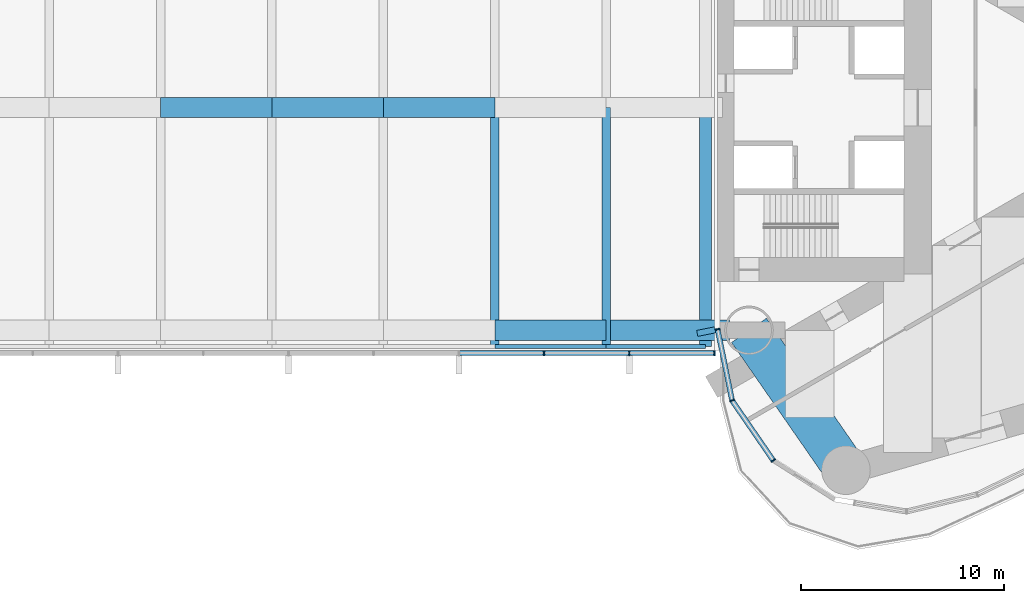
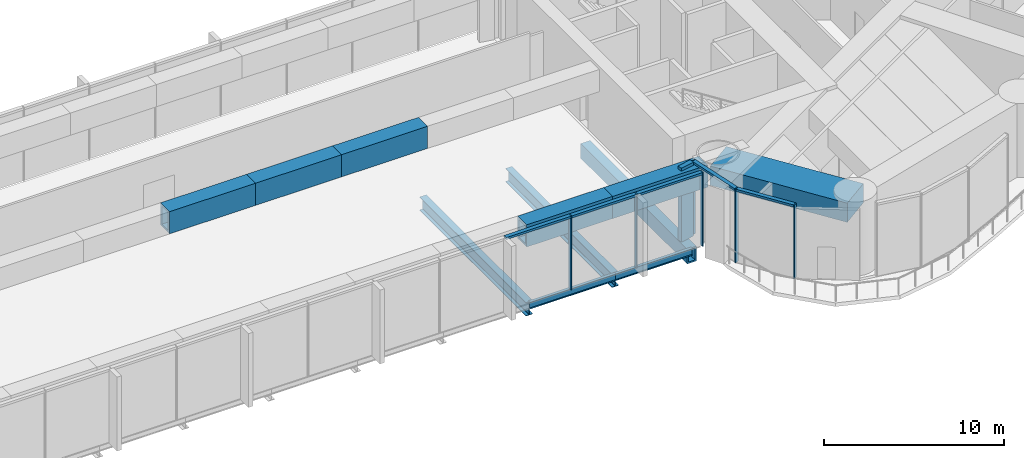
# One storey, part 7 of 22: 17 members, 6 beams, 2 elements without a shape of their own.
"""IFC4 building model written with IfcOpenShell, lengths in metres."""

from ifc_helpers import new_model, si_unit, direction, frame, origin, origin_2d, place, context, subcontext, project, spatial, rectangle, hollow_rectangle, i_section, extrude, material, material_profile, profile_set, type_object, element, aggregate, save


model = new_model("IFC4")

# Units and contexts
model_context = context("Model", 3, precision=1e-05, world=origin(), true_north=direction((0.0, 1.0)))
body_context = subcontext(model_context, "Body", "Model", "MODEL_VIEW")
ifc_project = project(units=[si_unit("LENGTHUNIT", "METRE"), si_unit("AREAUNIT", "SQUARE_METRE"), si_unit("VOLUMEUNIT", "CUBIC_METRE"), si_unit("PLANEANGLEUNIT", "RADIAN"), si_unit("MASSUNIT", "GRAM", prefix="KILO")], contexts=[model_context])

# Site, building, storey
site_placement = place(None, origin())
site = spatial("IfcSite", under=ifc_project, at=site_placement, CompositionType="ELEMENT")
building_placement = place(site_placement, origin())
building = spatial("IfcBuilding", under=site, at=building_placement, Name="Lancet Gate Hotel", CompositionType="ELEMENT")
storey_placement = place(building_placement, frame((0.0, 0.0, 210.300048828125)))
storey = spatial("IfcBuildingStorey", under=building, at=storey_placement, Name="L56", CompositionType="ELEMENT", Elevation=210.300048828125)

# Curtain wall, members
ifc_material_1 = material(Name="Aluminium curtain wall", Category="aluminium")
curtain_wall_type = type_object("IfcCurtainWallType", Name="Refuge storey louvred curtain wall", PredefinedType="USERDEFINED", material=ifc_material_1)
curtain_wall_1_placement = place(storey_placement, origin())
curtain_wall_1 = element("IfcCurtainWall", 1, at=curtain_wall_1_placement, inside=storey, type_object=curtain_wall_type, Name="T2 L56 curtain wall 1", ObjectType="LANTERN GLAZING", PredefinedType="USERDEFINED")
ifc_material_2 = material(Name="Aluminium mullion", Category="aluminium")
ifc_material_profile_1 = material_profile(ifc_material_2, rectangle(XDim=0.06494140625, YDim=0.25, at=origin_2d()), Name="MULLION 65x250")
ifc_profile_set_1 = profile_set([ifc_material_profile_1], Name="Aluminium mullion")
member_type_1 = type_object("IfcMemberType", Name="Aluminium mullion 65x250", PredefinedType="MULLION", material=ifc_profile_set_1)
member_1_placement = place(storey_placement, frame((27.5, -10.947998046875, 0.0), z_axis=(0.0, 0.0, 1.0), x_axis=(0.199533486841, -0.979891008036, 0.0)))
member_1 = element("IfcMember", 2, at=member_1_placement, type_object=member_type_1, Name="T2 L56 curtain wall 1 mullion 1", PredefinedType="MULLION", context=body_context, shape_type="SweptSolid", body=[
    extrude(rectangle(XDim=0.06494140625, YDim=0.25, at=origin_2d()), origin(), (0.0, 0.0, 1.0), 5.0),
])
member_2_placement = place(storey_placement, frame((28.216552734375, -14.467529296875, 0.0), z_axis=(0.0, 0.0, 1.0), x_axis=(0.391042139098, -0.920372775265, 0.0)))
member_2 = element("IfcMember", 3, at=member_2_placement, type_object=member_type_1, Name="T2 L56 curtain wall 1 mullion 2", PredefinedType="MULLION", context=body_context, shape_type="SweptSolid", body=[
    extrude(rectangle(XDim=0.06494140625, YDim=0.25, at=origin_2d()), origin(), (0.0, 0.0, 1.0), 5.0),
])
member_3_placement = place(storey_placement, frame((30.25244140625, -17.42626953125, 0.0), z_axis=(0.0, 0.0, 1.0), x_axis=(0.566823864908, -0.823839005007, 0.0)))
member_3 = element("IfcMember", 4, at=member_3_placement, type_object=member_type_1, Name="T2 L56 curtain wall 1 mullion 3", PredefinedType="MULLION", context=body_context, shape_type="SweptSolid", body=[
    extrude(rectangle(XDim=0.06494140625, YDim=0.25, at=origin_2d()), origin(), (0.0, 0.0, 1.0), 5.0),
])

curtain_wall_2_placement = place(storey_placement, origin())
curtain_wall_2 = element("IfcCurtainWall", 5, at=curtain_wall_2_placement, inside=storey, type_object=curtain_wall_type, Name="Bridge block L56 curtain wall S", ObjectType="LANTERN GLAZING", PredefinedType="USERDEFINED")
member_4_placement = place(storey_placement, frame((18.9345703125, -12.1201171875, 0.0), z_axis=(0.0, 0.0, 1.0), x_axis=(1.0, 0.0, 0.0)))
member_4 = element("IfcMember", 6, at=member_4_placement, type_object=member_type_1, Name="Bridge block L56 curtain wall S mullion 12", PredefinedType="MULLION", context=body_context, shape_type="SweptSolid", body=[
    extrude(rectangle(XDim=0.06494140625, YDim=0.25, at=origin_2d()), origin(), (0.0, 0.0, 1.0), 5.0),
])
member_5_placement = place(storey_placement, frame((23.142333984375, -12.1201171875, 0.0), z_axis=(0.0, 0.0, 1.0), x_axis=(1.0, 0.0, 0.0)))
member_5 = element("IfcMember", 7, at=member_5_placement, type_object=member_type_1, Name="Bridge block L56 curtain wall S mullion 13", PredefinedType="MULLION", context=body_context, shape_type="SweptSolid", body=[
    extrude(rectangle(XDim=0.06494140625, YDim=0.25, at=origin_2d()), origin(), (0.0, 0.0, 1.0), 5.0),
])
member_6_placement = place(storey_placement, frame((27.35009765625, -12.1201171875, 0.0), z_axis=(0.0, 0.0, 1.0), x_axis=(1.0, 0.0, 0.0)))
member_6 = element("IfcMember", 8, at=member_6_placement, type_object=member_type_1, Name="Bridge block L56 curtain wall S mullion 14", PredefinedType="MULLION", context=body_context, shape_type="SweptSolid", body=[
    extrude(rectangle(XDim=0.06494140625, YDim=0.25, at=origin_2d()), origin(), (0.0, 0.0, 1.0), 5.0),
])

# Member
ifc_material_3 = material(Name="Aluminium transom", Category="aluminium")
ifc_material_profile_2 = material_profile(ifc_material_3, rectangle(XDim=0.25, YDim=0.14990234375, at=origin_2d()), Name="TRANSOM 250x150")
ifc_profile_set_2 = profile_set([ifc_material_profile_2], Name="Aluminium transom")
member_type_2 = type_object("IfcMemberType", Name="Aluminium transom 250x150", PredefinedType="USERDEFINED", material=ifc_profile_set_2)
member_7_placement = place(storey_placement, frame((27.506591796875, -10.97998046875, 4.925048828125), z_axis=(0.19952323725, -0.979893095086, 0.0), x_axis=(0.979893095086, 0.19952323725, 0.0)))
member_7 = element("IfcMember", 9, at=member_7_placement, type_object=member_type_2, Name="T2 L56 curtain wall 1 transom 1", ObjectType="TRANSOM", PredefinedType="USERDEFINED", context=body_context, shape_type="SweptSolid", body=[
    extrude(rectangle(XDim=0.25, YDim=0.14990234375, at=origin_2d()), origin(), (0.0, 0.0, 1.0), 3.5263671875),
])

member_8_placement = place(storey_placement, frame((28.235107421875, -14.494140625, 4.925048828125), z_axis=(0.566813768052, -0.82384595183, 0.0), x_axis=(0.82384595183, 0.566813768052, 0.0)))
member_8 = element("IfcMember", 10, at=member_8_placement, type_object=member_type_2, Name="T2 L56 curtain wall 1 transom 2", ObjectType="TRANSOM", PredefinedType="USERDEFINED", context=body_context, shape_type="SweptSolid", body=[
    extrude(rectangle(XDim=0.25, YDim=0.14990234375, at=origin_2d()), origin(), (0.0, 0.0, 1.0), 3.52685546875),
])

member_9_placement = place(storey_placement, frame((14.759521484375, -12.1201171875, 4.925048828125), z_axis=(1.0, 0.0, 0.0), x_axis=(0.0, 1.0, 0.0)))
member_9 = element("IfcMember", 11, at=member_9_placement, type_object=member_type_2, Name="Bridge block L56 curtain wall S transom 11", ObjectType="TRANSOM", PredefinedType="USERDEFINED", context=body_context, shape_type="SweptSolid", body=[
    extrude(rectangle(XDim=0.25, YDim=0.14990234375, at=origin_2d()), origin(), (0.0, 0.0, 1.0), 4.142578125),
])

member_10_placement = place(storey_placement, frame((18.967041015625, -12.1201171875, 4.925048828125), z_axis=(1.0, 0.0, 0.0), x_axis=(0.0, 1.0, 0.0)))
member_10 = element("IfcMember", 12, at=member_10_placement, type_object=member_type_2, Name="Bridge block L56 curtain wall S transom 12", ObjectType="TRANSOM", PredefinedType="USERDEFINED", context=body_context, shape_type="SweptSolid", body=[
    extrude(rectangle(XDim=0.25, YDim=0.14990234375, at=origin_2d()), origin(), (0.0, 0.0, 1.0), 4.142822265625),
])

member_11_placement = place(storey_placement, frame((23.1748046875, -12.1201171875, 4.925048828125), z_axis=(1.0, 0.0, 0.0), x_axis=(0.0, 1.0, 0.0)))
member_11 = element("IfcMember", 13, at=member_11_placement, type_object=member_type_2, Name="Bridge block L56 curtain wall S transom 13", ObjectType="TRANSOM", PredefinedType="USERDEFINED", context=body_context, shape_type="SweptSolid", body=[
    extrude(rectangle(XDim=0.25, YDim=0.14990234375, at=origin_2d()), origin(), (0.0, 0.0, 1.0), 4.142578125),
])

aggregate(curtain_wall_2, [member_4, member_5, member_6, member_9, member_10, member_11])

# Beams
ifc_material_4 = material(Name="Steel S355", Category="steel")
ifc_material_profile_3 = material_profile(ifc_material_4, i_section(OverallWidth=0.19140625, OverallDepth=0.4599609375, WebThickness=0.010009765625, FlangeThickness=0.01611328125, FilletRadius=0.01025390625, at=origin_2d()), Name="UKB 457x191x82")
ifc_profile_set_3 = profile_set([ifc_material_profile_3], Name="Steel S355")
beam_type_1 = type_object("IfcBeamType", Name="Block edge beam UKB 457x191x82", PredefinedType="SPANDREL", material=ifc_profile_set_3)
beam_1_placement = place(storey_placement, frame((16.5, -11.800048828125, -0.429931640625), z_axis=(1.0, 0.0, 0.0), x_axis=(0.0, 1.0, 0.0)))
element("IfcBeam", 14, at=beam_1_placement, inside=storey, type_object=beam_type_1, Name="Block edge beam S 8-9 L56", PredefinedType="SPANDREL", context=body_context, shape_type="SweptSolid", body=[
    extrude(i_section(OverallWidth=0.19140625, OverallDepth=0.4599609375, WebThickness=0.010009765625, FlangeThickness=0.01611328125, FilletRadius=0.01025390625, at=origin_2d()), origin(), (0.0, 0.0, 1.0), 5.5),
])
beam_2_placement = place(storey_placement, frame((22.0, -11.800048828125, -0.429931640625), z_axis=(1.0, 0.0, 0.0), x_axis=(0.0, 1.0, 0.0)))
element("IfcBeam", 15, at=beam_2_placement, inside=storey, type_object=beam_type_1, Name="Block edge beam S 9-10 L56", PredefinedType="SPANDREL", context=body_context, shape_type="SweptSolid", body=[
    extrude(i_section(OverallWidth=0.19140625, OverallDepth=0.4599609375, WebThickness=0.010009765625, FlangeThickness=0.01611328125, FilletRadius=0.01025390625, at=origin_2d()), origin(), (0.0, 0.0, 1.0), 4.89990234375),
])
ifc_material_5 = material(Name="Steel S460QL", Category="steel")
ifc_material_profile_4 = material_profile(ifc_material_5, hollow_rectangle(XDim=0.60009765625, YDim=1.0, WallThickness=0.10009765625, at=origin_2d()), Name="BOX 1000x600x100")
ifc_profile_set_4 = profile_set([ifc_material_profile_4], Name="Steel S460QL")
beam_type_2 = type_object("IfcBeamType", Name="Block end beam BOX 1000x600x100", PredefinedType="BEAM", material=ifc_profile_set_4)
beam_3_placement = place(storey_placement, frame((26.89990234375, -11.800048828125, -0.699951171875), z_axis=(0.0, 1.0, 0.0), x_axis=(-1.0, 0.0, 0.0)))
element("IfcBeam", 16, at=beam_3_placement, inside=storey, type_object=beam_type_2, Name="Block beam x10 S L56", PredefinedType="BEAM", context=body_context, shape_type="SweptSolid", body=[
    extrude(hollow_rectangle(XDim=0.60009765625, YDim=1.0, WallThickness=0.10009765625, at=origin_2d()), origin(), (0.0, 0.0, 1.0), 11.800048828125),
])
ifc_material_6 = material(Name="Steel S355", Category="steel")
ifc_material_profile_5 = material_profile(ifc_material_6, i_section(OverallWidth=0.42041015625, OverallDepth=0.9208984375, WebThickness=0.021484375, FlangeThickness=0.03662109375, FilletRadius=0.024169921875, at=origin_2d()), Name="UKB 914x419x388")
ifc_profile_set_5 = profile_set([ifc_material_profile_5], Name="Steel S355")
beam_type_3 = type_object("IfcBeamType", Name="Block plant floor beam UKB 914x419x388", PredefinedType="JOIST", material=ifc_profile_set_5)
for number, where, z_axis, x_axis, name in (
    (17, (16.5, -11.800048828125, -0.66064453125), (0.0, 1.0, 0.0), (-1.0, 0.0, 0.0), "Block beam x8 S L56"),
    (18, (22.0, -11.800048828125, -0.66064453125), (0.0, 1.0, 0.0), (-1.0, 0.0, 0.0), "Block beam x9 S L56"),
):
    element("IfcBeam", number, at=place(storey_placement, frame(where, z_axis=z_axis, x_axis=x_axis)), inside=storey, type_object=beam_type_3, Name=name, PredefinedType="JOIST", context=body_context, shape_type="SweptSolid", body=[
        extrude(i_section(OverallWidth=0.42041015625, OverallDepth=0.9208984375, WebThickness=0.021484375, FlangeThickness=0.03662109375, FilletRadius=0.024169921875, at=origin_2d()), origin(), (0.0, 0.0, 1.0), 11.800048828125),
    ])
ifc_material_7 = material(Name="Concrete C50/60", Category="concrete")
ifc_material_profile_6 = material_profile(ifc_material_7, rectangle(XDim=2.10009765625, YDim=1.300048828125, at=origin_2d()), Name="RC 2100x1300")
ifc_profile_set_6 = profile_set([ifc_material_profile_6], Name="Concrete C50/60")
beam_type_4 = type_object("IfcBeamType", Name="Edge beam RC 2100x1300", PredefinedType="SPANDREL", material=ifc_profile_set_6)
beam_4_placement = place(storey_placement, frame((33.837158203125, -17.906005859375, 4.099853515625), z_axis=(-0.569694852599, 0.821856298219, 0.0), x_axis=(-0.821856298219, -0.569694852599, 0.0)))
element("IfcBeam", 19, at=beam_4_placement, inside=storey, type_object=beam_type_4, Name="T2 edge beam EB1 L56", PredefinedType="SPANDREL", context=body_context, shape_type="SweptSolid", body=[
    extrude(rectangle(XDim=2.10009765625, YDim=1.300048828125, at=origin_2d()), origin(), (0.0, 0.0, 1.0), 8.40283203125),
])

# Member
ifc_material_8 = material(Name="Precast concrete C50/60", Category="concrete")
ifc_material_profile_7 = material_profile(ifc_material_8, rectangle(XDim=0.300048828125, YDim=0.89990234375, at=origin_2d()), Name="FIN 300x900")
ifc_profile_set_7 = profile_set([ifc_material_profile_7], Name="Precast concrete C50/60")
member_type_3 = type_object("IfcMemberType", Name="Exposed concrete fin 300x900", PredefinedType="USERDEFINED", material=ifc_profile_set_7)
member_12_placement = place(storey_placement, frame((26.9365234375, -11.062744140625, 0.0), z_axis=(0.0, 0.0, 1.0), x_axis=(0.199533486841, -0.979891008036, 0.0)))
member_12 = element("IfcMember", 20, at=member_12_placement, type_object=member_type_3, Name="T2 L56 curtain wall 1 fin 1", ObjectType="FIN", PredefinedType="USERDEFINED", context=body_context, shape_type="SweptSolid", body=[
    extrude(rectangle(XDim=0.300048828125, YDim=0.89990234375, at=origin_2d()), origin(), (0.0, 0.0, 1.0), 5.0),
])

aggregate(curtain_wall_1, [member_1, member_12, member_2, member_3, member_7, member_8])

# Members
ifc_material_9 = material(Name="Steel S460QL", Category="steel")
ifc_material_profile_8 = material_profile(ifc_material_9, hollow_rectangle(XDim=1.0, YDim=1.5, WallThickness=0.14990234375, at=origin_2d()), Name="BOX 1500x1000x150")
ifc_profile_set_8 = profile_set([ifc_material_profile_8], Name="Steel S460QL")
member_type_4 = type_object("IfcMemberType", Name="Truss chord BOX 1500x1000x150", PredefinedType="CHORD", material=ifc_profile_set_8)
member_13_placement = place(storey_placement, frame((16.5, -11.0, 4.050048828125), z_axis=(1.0, 0.0, 0.0), x_axis=(0.0, 1.0, 0.0)))
element("IfcMember", 21, at=member_13_placement, inside=storey, type_object=member_type_4, Name="Truss S top chord panel 9", PredefinedType="CHORD", context=body_context, shape_type="SweptSolid", body=[
    extrude(hollow_rectangle(XDim=1.0, YDim=1.5, WallThickness=0.14990234375, at=origin_2d()), origin(), (0.0, 0.0, 1.0), 5.5),
])
member_14_placement = place(storey_placement, frame((22.0, -11.0, 4.050048828125), z_axis=(1.0, 0.0, 0.0), x_axis=(0.0, 1.0, 0.0)))
element("IfcMember", 22, at=member_14_placement, inside=storey, type_object=member_type_4, Name="Truss S top chord panel 10", PredefinedType="CHORD", context=body_context, shape_type="SweptSolid", body=[
    extrude(hollow_rectangle(XDim=1.0, YDim=1.5, WallThickness=0.14990234375, at=origin_2d()), origin(), (0.0, 0.0, 1.0), 6.10009765625),
])
for number, where, z_axis, x_axis, name in (
    (23, (0.0, 0.0, 4.050048828125), (1.0, 0.0, 0.0), (0.0, 1.0, 0.0), "Truss M top chord panel 6"),
    (24, (5.5, 0.0, 4.050048828125), (1.0, 0.0, 0.0), (0.0, 1.0, 0.0), "Truss M top chord panel 7"),
    (25, (11.0, 0.0, 4.050048828125), (1.0, 0.0, 0.0), (0.0, 1.0, 0.0), "Truss M top chord panel 8"),
):
    element("IfcMember", number, at=place(storey_placement, frame(where, z_axis=z_axis, x_axis=x_axis)), inside=storey, type_object=member_type_4, Name=name, PredefinedType="CHORD", context=body_context, shape_type="SweptSolid", body=[
        extrude(hollow_rectangle(XDim=1.0, YDim=1.5, WallThickness=0.14990234375, at=origin_2d()), origin(), (0.0, 0.0, 1.0), 5.5),
    ])

save(model, "model.ifc")
